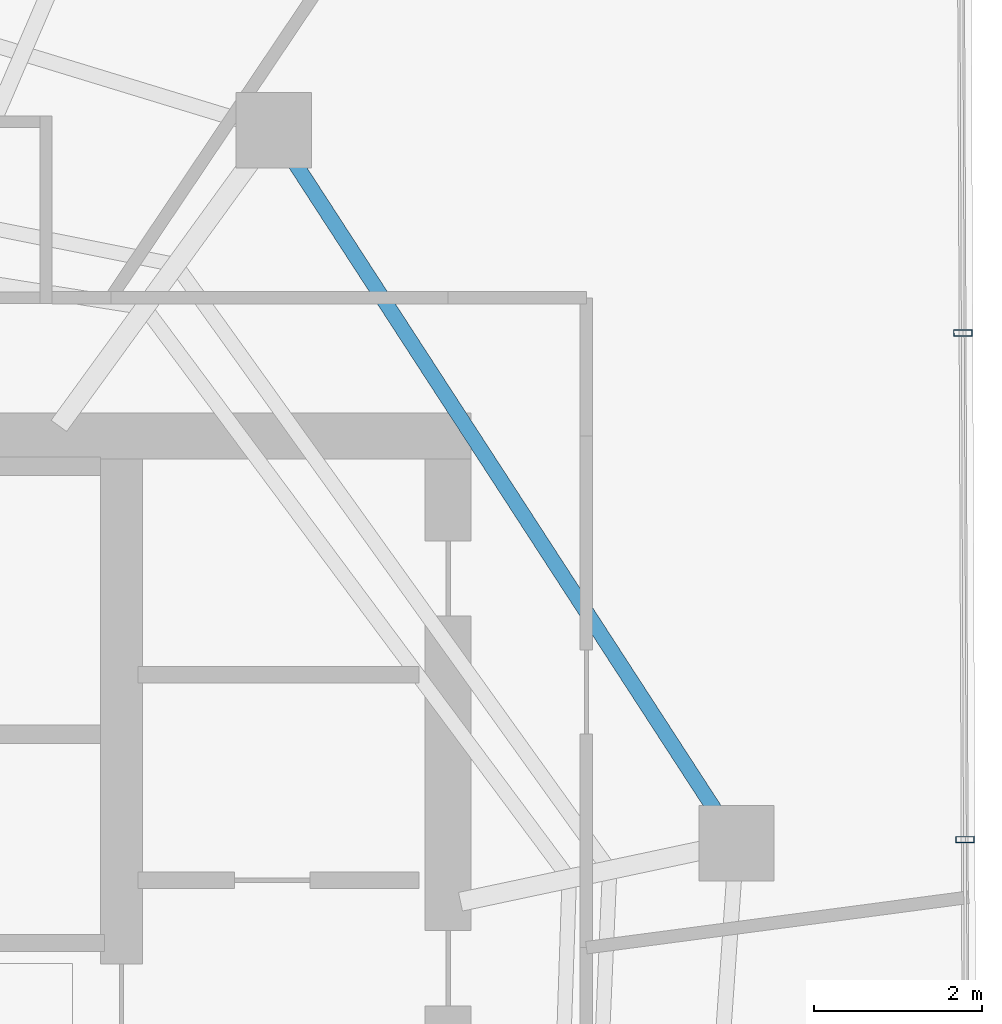
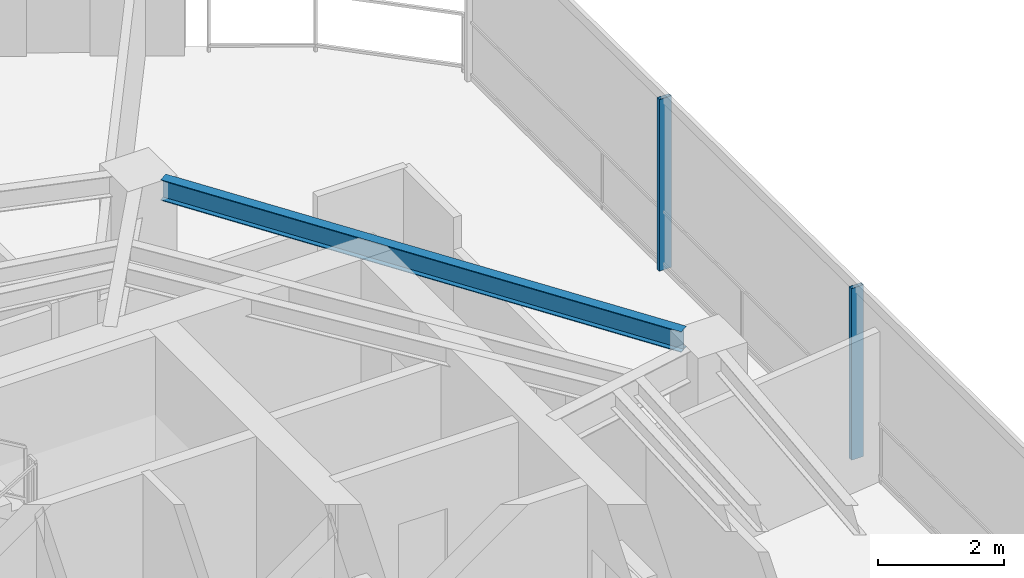
# One storey, part 9 of 19: 2 members, 1 beam, 1 element without a shape of its own.
"""IFC4 building model written with IfcOpenShell, lengths in metres."""

from ifc_helpers import new_model, si_unit, direction, frame, origin, origin_2d, place, context, subcontext, project, spatial, hollow_rectangle, i_section, extrude, material, layer, layer_set, material_profile, profile_set, type_object, element, aggregate, save


model = new_model("IFC4")

# Units and contexts
model_context = context("Model", 3, precision=1e-05, world=origin(), true_north=direction((0.0, 1.0)))
body_context = subcontext(model_context, "Body", "Model", "MODEL_VIEW")
ifc_project = project(units=[si_unit("LENGTHUNIT", "METRE"), si_unit("AREAUNIT", "SQUARE_METRE"), si_unit("VOLUMEUNIT", "CUBIC_METRE"), si_unit("PLANEANGLEUNIT", "RADIAN"), si_unit("MASSUNIT", "GRAM", prefix="KILO")], contexts=[model_context])

# Site, building, storey
site_placement = place(None, origin())
site = spatial("IfcSite", under=ifc_project, at=site_placement, CompositionType="ELEMENT")
building_placement = place(site_placement, origin())
building = spatial("IfcBuilding", under=site, at=building_placement, Name="Qarnah Convention Tower", CompositionType="ELEMENT")
storey_placement = place(building_placement, frame((0.0, 0.0, 180.60009765625)))
storey = spatial("IfcBuildingStorey", under=building, at=storey_placement, Name="L48", CompositionType="ELEMENT", Elevation=180.60009765625)

# Beam
ifc_material_1 = material(Name="Structural steel S355JR", Category="steel")
ifc_material_profile_1 = material_profile(ifc_material_1, i_section(OverallWidth=0.179931640625, OverallDepth=0.39990234375, WebThickness=0.009033203125, FlangeThickness=0.013916015625, at=origin_2d()), Name="IPE400")
ifc_profile_set_1 = profile_set([ifc_material_profile_1], Name="Structural steel S355JR")
beam_type = type_object("IfcBeamType", Name="BM-SPN-IPE400", PredefinedType="SPANDREL", material=ifc_profile_set_1)
beam_placement = place(storey_placement, frame((50.801025390625, 29.7109375, 3.119873046875), z_axis=(-0.544586178954, 0.838704890705, 0.0), x_axis=(-0.838704890705, -0.544586178954, 0.0)))
element("IfcBeam", 1, at=beam_placement, inside=storey, type_object=beam_type, Name="L48 spandrel BM-L48-SPN-01", PredefinedType="SPANDREL", context=body_context, shape_type="SweptSolid", body=[
    extrude(i_section(OverallWidth=0.179931640625, OverallDepth=0.39990234375, WebThickness=0.009033203125, FlangeThickness=0.013916015625, at=origin_2d()), origin(), (0.0, 0.0, 1.0), 9.261962890625),
])

# Curtain wall, members
ifc_material_2 = material(Name="Tempered Low-E dark glass", Category="glass")
ifc_layer = layer(ifc_material_2, 0.174072265625)
ifc_layer_set = layer_set([ifc_layer], Name="Tempered Low-E dark glass")
curtain_wall_type = type_object("IfcCurtainWallType", Name="CWS-04", PredefinedType="NOTDEFINED", material=ifc_layer_set)
curtain_wall_placement = place(storey_placement, origin())
curtain_wall = element("IfcCurtainWall", 2, at=curtain_wall_placement, inside=storey, type_object=curtain_wall_type, Name="L48 unitised curtain wall CW-L48-F2", PredefinedType="NOTDEFINED")
ifc_material_3 = material(Name="Black anodised aluminium", Category="aluminium")
ifc_material_profile_2 = material_profile(ifc_material_3, hollow_rectangle(XDim=0.074951171875, YDim=0.219970703125, WallThickness=0.0048828125, at=origin_2d()), Name="MUL-75X220")
ifc_profile_set_2 = profile_set([ifc_material_profile_2], Name="Black anodised aluminium")
member_type = type_object("IfcMemberType", Name="MUL-T4", PredefinedType="MULLION", material=ifc_profile_set_2)
member_1_placement = place(storey_placement, frame((53.741455078125, 35.429931640625, 0.0), z_axis=(0.0, 0.0, 1.0), x_axis=(0.004200384293, -0.999991178347, 0.0)))
member_1 = element("IfcMember", 3, at=member_1_placement, type_object=member_type, Name="CW-L48-F2 mullion 2", PredefinedType="MULLION", context=body_context, shape_type="SweptSolid", body=[
    extrude(hollow_rectangle(XDim=0.074951171875, YDim=0.219970703125, WallThickness=0.0048828125, at=origin_2d()), origin(), (0.0, 0.0, 1.0), 3.31982421875),
])
member_2_placement = place(storey_placement, frame((53.766845703125, 29.383056640625, 0.0), z_axis=(0.0, 0.0, 1.0), x_axis=(0.004200384293, -0.999991178347, 0.0)))
member_2 = element("IfcMember", 4, at=member_2_placement, type_object=member_type, Name="CW-L48-F2 mullion 3", PredefinedType="MULLION", context=body_context, shape_type="SweptSolid", body=[
    extrude(hollow_rectangle(XDim=0.074951171875, YDim=0.219970703125, WallThickness=0.0048828125, at=origin_2d()), origin(), (0.0, 0.0, 1.0), 3.31982421875),
])
aggregate(curtain_wall, [member_1, member_2])

save(model, "model.ifc")
